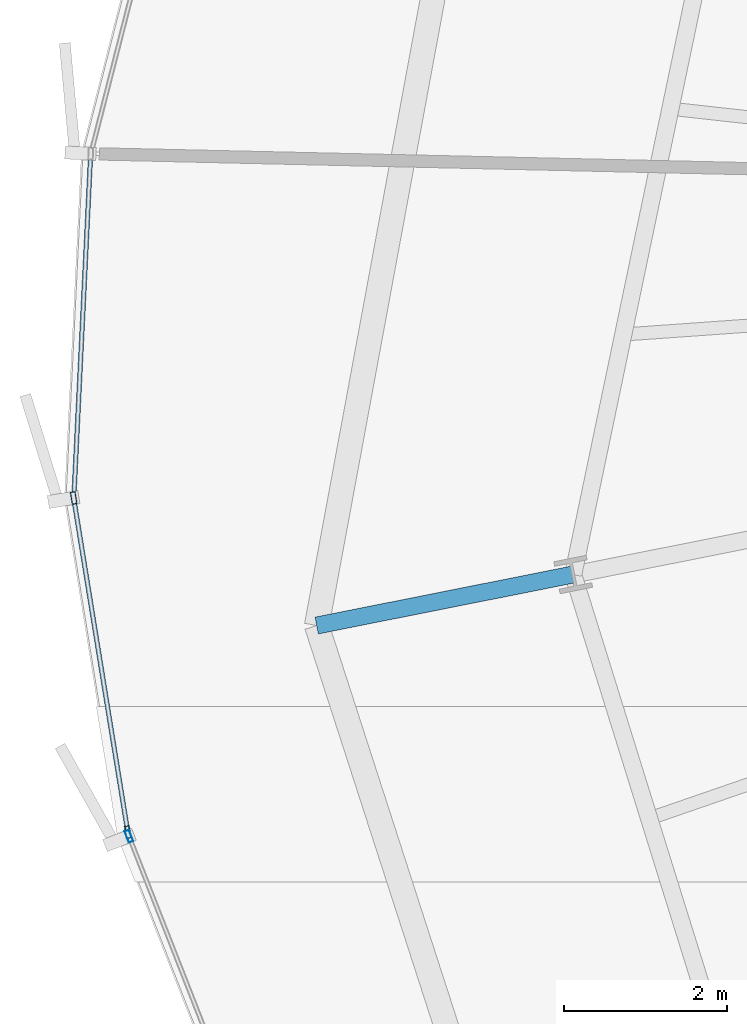
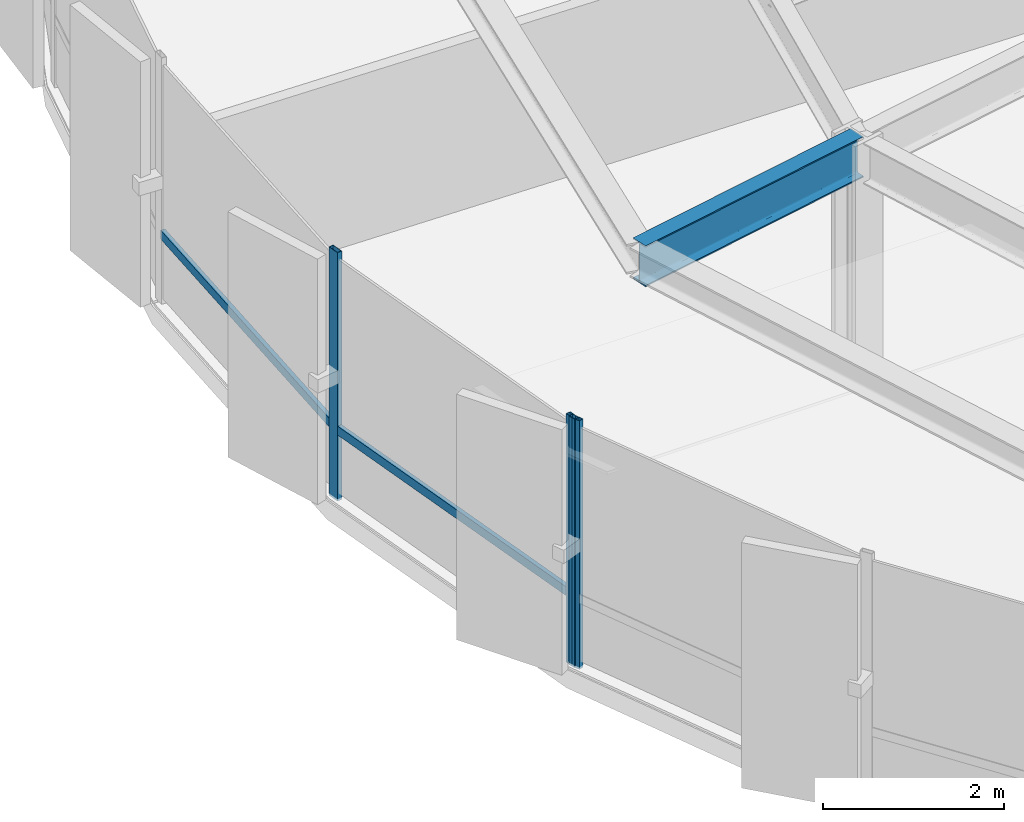
# One storey, part 7 of 35: 5 members, 1 beam, 2 elements without a shape of their own.
"""IFC4 building model written with IfcOpenShell, lengths in metres."""

from ifc_helpers import new_model, si_unit, direction, frame, origin, origin_2d, place, context, subcontext, project, spatial, hollow_rectangle, i_section, extrude, source, transform, mapped, material, layer, layer_set, material_profile, profile_set, type_object, element, aggregate, save


model = new_model("IFC4")

# Units and contexts
model_context = context("Model", 3, precision=1e-05, world=origin(), true_north=direction((0.0, 1.0)))
body_context = subcontext(model_context, "Body", "Model", "MODEL_VIEW")
ifc_project = project(units=[si_unit("LENGTHUNIT", "METRE"), si_unit("AREAUNIT", "SQUARE_METRE"), si_unit("VOLUMEUNIT", "CUBIC_METRE"), si_unit("PLANEANGLEUNIT", "RADIAN"), si_unit("MASSUNIT", "GRAM", prefix="KILO"), si_unit("THERMODYNAMICTEMPERATUREUNIT", "KELVIN")], contexts=[model_context])

# Site, building, storey
site_placement = place(None, origin())
site = spatial("IfcSite", under=ifc_project, at=site_placement, CompositionType="ELEMENT")
building_placement = place(site_placement, origin())
building = spatial("IfcBuilding", under=site, at=building_placement, Name="Kethvar Cultural Tower", CompositionType="ELEMENT")
storey_placement = place(building_placement, frame((0.0, 0.0, 96.39990234375)))
storey = spatial("IfcBuildingStorey", under=building, at=storey_placement, Name="L23", CompositionType="ELEMENT", Elevation=96.39990234375)

# Beam
ifc_material_1 = material(Name="Steel S355J2", Category="steel")
ifc_material_profile_1 = material_profile(ifc_material_1, i_section(OverallWidth=0.2099609375, OverallDepth=0.550048828125, WebThickness=0.010986328125, FlangeThickness=0.01708984375, FilletRadius=0.02392578125, at=origin_2d()), Name="Steel S355J2 — IPE550")
ifc_profile_set_1 = profile_set([ifc_material_profile_1], Name="Steel S355J2 — IPE550")
beam_type = type_object("IfcBeamType", Name="BM-IPE550", PredefinedType="BEAM", material=ifc_profile_set_1)
shared_shape_1 = source(origin(), body_context, "Body", "SweptSolid", [
    extrude(i_section(OverallWidth=0.2099609375, OverallDepth=0.550048828125, WebThickness=0.010986328125, FlangeThickness=0.01708984375, FilletRadius=0.02392578125, at=origin_2d()), origin(), (0.0, 0.0, 1.0), 3.199951171875),
])
beam_placement = place(storey_placement, frame((24.185302734375, 23.3017578125, 3.072998046875), z_axis=(-0.980785550224, -0.195088965533, 0.0), x_axis=(0.195088965533, -0.980785550224, 0.0)))
element("IfcBeam", 1, at=beam_placement, inside=storey, type_object=beam_type, Name="L23 Perimeter Cantilever Beam RC-09", PredefinedType="BEAM", context=body_context, shape_type="MappedRepresentation", body=[
    mapped(shared_shape_1, transform((0.0, 0.0, 0.0), scale=1.0)),
])

# Curtain wall, members
ifc_material_2 = material(Name="Aluminium 6063-T6", Category="aluminium")
ifc_layer = layer(ifc_material_2, 0.179931640625, Name="Aluminium 6063-T6", Category="aluminium")
ifc_layer_set = layer_set([ifc_layer], Name="Aluminium 6063-T6 (180 mm)")
curtain_wall_type = type_object("IfcCurtainWallType", Name="CW-SYS-03-Z2", PredefinedType="NOTDEFINED", material=ifc_layer_set)
curtain_wall_1_placement = place(storey_placement, origin())
curtain_wall_1 = element("IfcCurtainWall", 2, at=curtain_wall_1_placement, inside=storey, type_object=curtain_wall_type, Name="L23 Curtain Wall Run 03", PredefinedType="NOTDEFINED")
ifc_material_profile_2 = material_profile(ifc_material_2, hollow_rectangle(XDim=0.06005859375, YDim=0.14990234375, WallThickness=0.0048828125, at=origin_2d()), Name="Aluminium 6063-T6 — RHS150x60x5")
ifc_profile_set_2 = profile_set([ifc_material_profile_2], Name="Aluminium 6063-T6 — RHS150x60x5")
member_type_1 = type_object("IfcMemberType", Name="CW-SYS-03-Z2-MUL", PredefinedType="MULLION", material=ifc_profile_set_2)
shared_shape_2 = source(origin(), body_context, "Body", "SweptSolid", [
    extrude(hollow_rectangle(XDim=0.06005859375, YDim=0.14990234375, WallThickness=0.0048828125, at=origin_2d()), origin(), (0.0, 0.0, 1.0), 3.35009765625),
])
member_1_placement = place(storey_placement, frame((18.072509765625, 24.239013671875, 0.0), z_axis=(0.0, 0.0, 1.0), x_axis=(0.987111138817, 0.160036244721, 0.0)))
member_1 = element("IfcMember", 3, at=member_1_placement, type_object=member_type_1, Name="CW-L23-R03 Mullion 6", PredefinedType="MULLION", context=body_context, shape_type="MappedRepresentation", body=[
    mapped(shared_shape_2, transform((0.0, 0.0, 0.0), scale=1.0)),
])
member_2_placement = place(storey_placement, frame((18.7353515625, 20.14990234375, 0.0), z_axis=(0.0, 0.0, 1.0), x_axis=(0.987111138817, 0.160036244721, 0.0)))
member_2 = element("IfcMember", 4, at=member_2_placement, type_object=member_type_1, Name="CW-L23-R03 Mullion 7", PredefinedType="MULLION", context=body_context, shape_type="MappedRepresentation", body=[
    mapped(shared_shape_2, transform((0.0, 0.0, 0.0), scale=1.0)),
])

# Curtain wall, member
curtain_wall_2_placement = place(storey_placement, origin())
curtain_wall_2 = element("IfcCurtainWall", 5, at=curtain_wall_2_placement, inside=storey, type_object=curtain_wall_type, Name="L23 Curtain Wall Run 04", PredefinedType="NOTDEFINED")
member_3_placement = place(storey_placement, frame((18.74951171875, 20.0986328125, 0.0), z_axis=(0.0, 0.0, 1.0), x_axis=(0.931106753197, 0.364746780865, 0.0)))
member_3 = element("IfcMember", 6, at=member_3_placement, type_object=member_type_1, Name="CW-L23-R04 Mullion 1", PredefinedType="MULLION", context=body_context, shape_type="MappedRepresentation", body=[
    mapped(shared_shape_2, transform((0.0, 0.0, 0.0), scale=1.0)),
])
aggregate(curtain_wall_2, [member_3])

# Member
ifc_material_profile_3 = material_profile(ifc_material_2, hollow_rectangle(XDim=0.054931640625, YDim=0.1201171875, WallThickness=0.00390625, at=origin_2d()), Name="Aluminium 6063-T6 — RHS120x55x4")
ifc_profile_set_3 = profile_set([ifc_material_profile_3], Name="Aluminium 6063-T6 — RHS120x55x4")
member_type_2 = type_object("IfcMemberType", Name="CW-SYS-03-Z2-TRN", PredefinedType="USERDEFINED", material=ifc_profile_set_3)
shared_shape_3 = source(origin(), body_context, "Body", "SweptSolid", [
    extrude(hollow_rectangle(XDim=0.054931640625, YDim=0.1201171875, WallThickness=0.00390625, at=origin_2d()), origin(), (0.0, 0.0, 1.0), 4.15478515625),
])
member_4_placement = place(storey_placement, frame((18.27880859375, 28.407958984375, 0.9501953125), z_axis=(-0.048829786571, -0.998807114484, 0.0), x_axis=(0.998807114484, -0.048829786571, 0.0)))
member_4 = element("IfcMember", 7, at=member_4_placement, type_object=member_type_2, Name="CW-L23-R03 Transom 5", ObjectType="TRANSOM", PredefinedType="USERDEFINED", context=body_context, shape_type="MappedRepresentation", body=[
    mapped(shared_shape_3, transform((0.0, 0.0, 0.0), scale=1.0)),
])

shared_shape_4 = source(origin(), body_context, "Body", "SweptSolid", [
    extrude(hollow_rectangle(XDim=0.054931640625, YDim=0.1201171875, WallThickness=0.00390625, at=origin_2d()), origin(), (0.0, 0.0, 1.0), 4.094970703125),
])
member_5_placement = place(storey_placement, frame((18.079345703125, 24.1962890625, 0.9501953125), z_axis=(0.16001777691, -0.987114132749, 0.0), x_axis=(0.987114132749, 0.16001777691, 0.0)))
member_5 = element("IfcMember", 8, at=member_5_placement, type_object=member_type_2, Name="CW-L23-R03 Transom 6", ObjectType="TRANSOM", PredefinedType="USERDEFINED", context=body_context, shape_type="MappedRepresentation", body=[
    mapped(shared_shape_4, transform((0.0, 0.0, 0.0), scale=1.0)),
])

aggregate(curtain_wall_1, [member_1, member_2, member_4, member_5])

save(model, "model.ifc")
